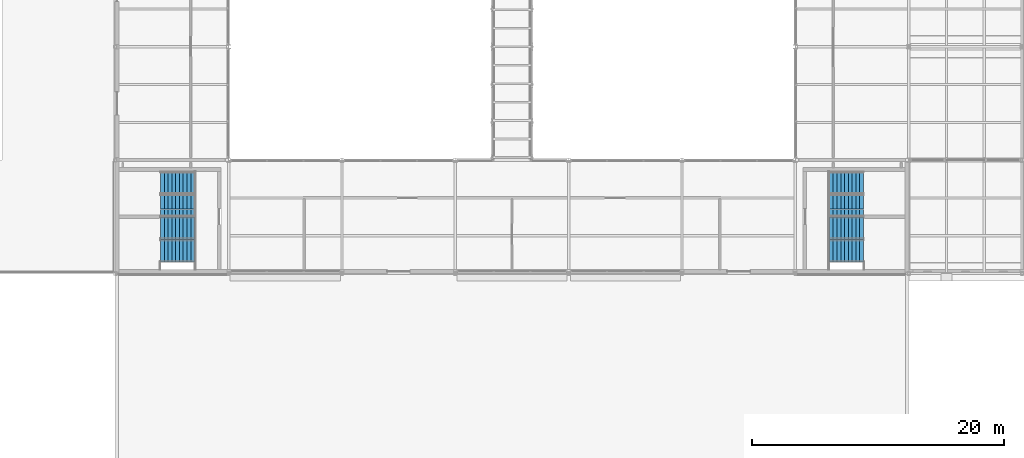
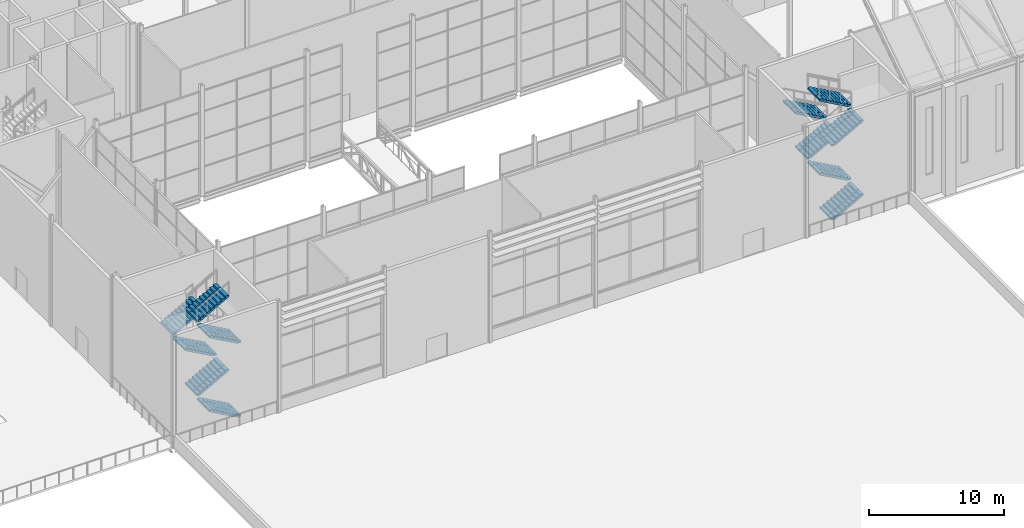
# One storey, part 97 of 111: 12 stair flights, 2 elements without a shape of their own.
"""IFC4 building model written with IfcOpenShell, lengths in metres."""

from ifc_helpers import new_model, si_unit, direction, frame, origin, place, context, subcontext, project, spatial, polyline, outline, extrude, material, type_object, element, aggregate, save


model = new_model("IFC4")

# Units and contexts
model_context = context("Model", 3, precision=1e-05, world=origin(), true_north=direction((0.0, 1.0)))
body_context = subcontext(model_context, "Body", "Model", "MODEL_VIEW")
ifc_project = project(units=[si_unit("LENGTHUNIT", "METRE"), si_unit("AREAUNIT", "SQUARE_METRE"), si_unit("VOLUMEUNIT", "CUBIC_METRE"), si_unit("PLANEANGLEUNIT", "RADIAN"), si_unit("MASSUNIT", "GRAM", prefix="KILO")], contexts=[model_context])

# Site, building, storey
site_placement = place(None, origin())
site = spatial("IfcSite", under=ifc_project, at=site_placement, CompositionType="ELEMENT")
building_placement = place(site_placement, origin())
building = spatial("IfcBuilding", under=site, at=building_placement, Name="Shorebreak Coast Museum", CompositionType="ELEMENT")
storey_placement = place(building_placement, frame((0.0, 0.0, 16.0)))
storey = spatial("IfcBuildingStorey", under=building, at=storey_placement, Name="L03", CompositionType="ELEMENT", Elevation=16.0)

# Stair, stair flights
ifc_material_1 = material(Name="Concrete N40 (40 MPa)", Category="concrete")
stair_type = type_object("IfcStairType", Name="Stair run 10 m", PredefinedType="DOUBLE_RETURN_STAIR", material=ifc_material_1)
stair_1_placement = place(storey_placement, origin())
stair_1 = element("IfcStair", 1, at=stair_1_placement, inside=storey, type_object=stair_type, Name="Exit stair ST01-L03", PredefinedType="DOUBLE_RETURN_STAIR")
ifc_material_2 = material(Name="Concrete N40 (40 MPa)", Category="concrete")
stair_flight_type = type_object("IfcStairFlightType", Name="Stair flight 10 risers 166.67", PredefinedType="STRAIGHT", material=ifc_material_2)
stair_flight_1_placement = place(storey_placement, frame((60.300048828125, 55.800048828125, 0.0), z_axis=(0.0, 0.0, 1.0), x_axis=(-1.0, 0.0, 0.0)))
stair_flight_1 = element("IfcStairFlight", 2, at=stair_flight_1_placement, type_object=stair_flight_type, Name="ST01-L03 flight 1", NumberOfRisers=10, NumberOfTreads=9, PredefinedType="STRAIGHT", RiserHeight=0.166666667, TreadLength=0.3, context=body_context, shape_type="SweptSolid", body=[
    extrude(outline(polyline([(0.0, 0.0), (0.0, 0.166748046875), (0.300048828125, 0.166748046875), (0.300048828125, 0.333251953125), (0.60009765625, 0.333251953125), (0.60009765625, 0.5), (0.89990234375, 0.5), (0.89990234375, 0.666748046875), (1.199951171875, 0.666748046875), (1.199951171875, 0.833251953125), (1.5, 0.833251953125), (1.5, 1.0), (1.800048828125, 1.0), (1.800048828125, 1.166748046875), (2.10009765625, 1.166748046875), (2.10009765625, 1.333251953125), (2.39990234375, 1.333251953125), (2.39990234375, 1.5), (2.699951171875, 1.5), (2.699951171875, 1.666748046875), (2.699951171875, 1.32861328125), (0.30859375, 0.0), (0.0, 0.0)])), frame((0.0, 0.89990234375, 0.0), z_axis=(0.0, -1.0, 0.0), x_axis=(1.0, 0.0, 0.0)), (0.0, 0.0, 1.0), 0.59326171875),
    extrude(outline(polyline([(0.0, 0.0), (0.0, 0.166748046875), (0.300048828125, 0.166748046875), (0.300048828125, 0.333251953125), (0.60009765625, 0.333251953125), (0.60009765625, 0.5), (0.89990234375, 0.5), (0.89990234375, 0.666748046875), (1.199951171875, 0.666748046875), (1.199951171875, 0.833251953125), (1.5, 0.833251953125), (1.5, 1.0), (1.800048828125, 1.0), (1.800048828125, 1.166748046875), (2.10009765625, 1.166748046875), (2.10009765625, 1.333251953125), (2.39990234375, 1.333251953125), (2.39990234375, 1.5), (2.699951171875, 1.5), (2.699951171875, 1.666748046875), (2.699951171875, 1.32861328125), (0.30859375, 0.0), (0.0, 0.0)])), frame((0.0, 0.296630859375, 0.0), z_axis=(0.0, -1.0, 0.0), x_axis=(1.0, 0.0, 0.0)), (0.0, 0.0, 1.0), 0.59326171875),
    extrude(outline(polyline([(0.0, 0.0), (0.0, 0.166748046875), (0.300048828125, 0.166748046875), (0.300048828125, 0.333251953125), (0.60009765625, 0.333251953125), (0.60009765625, 0.5), (0.89990234375, 0.5), (0.89990234375, 0.666748046875), (1.199951171875, 0.666748046875), (1.199951171875, 0.833251953125), (1.5, 0.833251953125), (1.5, 1.0), (1.800048828125, 1.0), (1.800048828125, 1.166748046875), (2.10009765625, 1.166748046875), (2.10009765625, 1.333251953125), (2.39990234375, 1.333251953125), (2.39990234375, 1.5), (2.699951171875, 1.5), (2.699951171875, 1.666748046875), (2.699951171875, 1.32861328125), (0.30859375, 0.0), (0.0, 0.0)])), frame((0.0, -0.306640625, 0.0), z_axis=(0.0, -1.0, 0.0), x_axis=(1.0, 0.0, 0.0)), (0.0, 0.0, 1.0), 0.59326171875),
])
stair_flight_2_placement = place(storey_placement, frame((57.60009765625, 57.60009765625, 1.666748046875), z_axis=(0.0, 0.0, 1.0), x_axis=(1.0, 0.0, 0.0)))
stair_flight_2 = element("IfcStairFlight", 3, at=stair_flight_2_placement, type_object=stair_flight_type, Name="ST01-L03 flight 2", NumberOfRisers=10, NumberOfTreads=9, PredefinedType="STRAIGHT", RiserHeight=0.166666667, TreadLength=0.3, context=body_context, shape_type="SweptSolid", body=[
    extrude(outline(polyline([(0.0, 0.0), (0.0, 0.166748046875), (0.300048828125, 0.166748046875), (0.300048828125, 0.333251953125), (0.60009765625, 0.333251953125), (0.60009765625, 0.5), (0.89990234375, 0.5), (0.89990234375, 0.666748046875), (1.199951171875, 0.666748046875), (1.199951171875, 0.833251953125), (1.5, 0.833251953125), (1.5, 1.0), (1.800048828125, 1.0), (1.800048828125, 1.166748046875), (2.10009765625, 1.166748046875), (2.10009765625, 1.333251953125), (2.39990234375, 1.333251953125), (2.39990234375, 1.5), (2.699951171875, 1.5), (2.699951171875, 1.666748046875), (2.699951171875, 1.32861328125), (0.30859375, 0.0), (0.0, 0.0)])), frame((0.0, 0.89990234375, 0.0), z_axis=(0.0, -1.0, 0.0), x_axis=(1.0, 0.0, 0.0)), (0.0, 0.0, 1.0), 0.59326171875),
    extrude(outline(polyline([(0.0, 0.0), (0.0, 0.166748046875), (0.300048828125, 0.166748046875), (0.300048828125, 0.333251953125), (0.60009765625, 0.333251953125), (0.60009765625, 0.5), (0.89990234375, 0.5), (0.89990234375, 0.666748046875), (1.199951171875, 0.666748046875), (1.199951171875, 0.833251953125), (1.5, 0.833251953125), (1.5, 1.0), (1.800048828125, 1.0), (1.800048828125, 1.166748046875), (2.10009765625, 1.166748046875), (2.10009765625, 1.333251953125), (2.39990234375, 1.333251953125), (2.39990234375, 1.5), (2.699951171875, 1.5), (2.699951171875, 1.666748046875), (2.699951171875, 1.32861328125), (0.30859375, 0.0), (0.0, 0.0)])), frame((0.0, 0.296630859375, 0.0), z_axis=(0.0, -1.0, 0.0), x_axis=(1.0, 0.0, 0.0)), (0.0, 0.0, 1.0), 0.59326171875),
    extrude(outline(polyline([(0.0, 0.0), (0.0, 0.166748046875), (0.300048828125, 0.166748046875), (0.300048828125, 0.333251953125), (0.60009765625, 0.333251953125), (0.60009765625, 0.5), (0.89990234375, 0.5), (0.89990234375, 0.666748046875), (1.199951171875, 0.666748046875), (1.199951171875, 0.833251953125), (1.5, 0.833251953125), (1.5, 1.0), (1.800048828125, 1.0), (1.800048828125, 1.166748046875), (2.10009765625, 1.166748046875), (2.10009765625, 1.333251953125), (2.39990234375, 1.333251953125), (2.39990234375, 1.5), (2.699951171875, 1.5), (2.699951171875, 1.666748046875), (2.699951171875, 1.32861328125), (0.30859375, 0.0), (0.0, 0.0)])), frame((0.0, -0.306640625, 0.0), z_axis=(0.0, -1.0, 0.0), x_axis=(1.0, 0.0, 0.0)), (0.0, 0.0, 1.0), 0.59326171875),
])
stair_flight_3_placement = place(storey_placement, frame((60.300048828125, 59.39990234375, 3.333251953125), z_axis=(0.0, 0.0, 1.0), x_axis=(-1.0, 0.0, 0.0)))
stair_flight_3 = element("IfcStairFlight", 4, at=stair_flight_3_placement, type_object=stair_flight_type, Name="ST01-L03 flight 3", NumberOfRisers=10, NumberOfTreads=9, PredefinedType="STRAIGHT", RiserHeight=0.166666667, TreadLength=0.3, context=body_context, shape_type="SweptSolid", body=[
    extrude(outline(polyline([(0.0, 0.0), (0.0, 0.166748046875), (0.300048828125, 0.166748046875), (0.300048828125, 0.333251953125), (0.60009765625, 0.333251953125), (0.60009765625, 0.5), (0.89990234375, 0.5), (0.89990234375, 0.666748046875), (1.199951171875, 0.666748046875), (1.199951171875, 0.833251953125), (1.5, 0.833251953125), (1.5, 1.0), (1.800048828125, 1.0), (1.800048828125, 1.166748046875), (2.10009765625, 1.166748046875), (2.10009765625, 1.333251953125), (2.39990234375, 1.333251953125), (2.39990234375, 1.5), (2.699951171875, 1.5), (2.699951171875, 1.666748046875), (2.699951171875, 1.32861328125), (0.30859375, 0.0), (0.0, 0.0)])), frame((0.0, 0.89990234375, 0.0), z_axis=(0.0, -1.0, 0.0), x_axis=(1.0, 0.0, 0.0)), (0.0, 0.0, 1.0), 0.59326171875),
    extrude(outline(polyline([(0.0, 0.0), (0.0, 0.166748046875), (0.300048828125, 0.166748046875), (0.300048828125, 0.333251953125), (0.60009765625, 0.333251953125), (0.60009765625, 0.5), (0.89990234375, 0.5), (0.89990234375, 0.666748046875), (1.199951171875, 0.666748046875), (1.199951171875, 0.833251953125), (1.5, 0.833251953125), (1.5, 1.0), (1.800048828125, 1.0), (1.800048828125, 1.166748046875), (2.10009765625, 1.166748046875), (2.10009765625, 1.333251953125), (2.39990234375, 1.333251953125), (2.39990234375, 1.5), (2.699951171875, 1.5), (2.699951171875, 1.666748046875), (2.699951171875, 1.32861328125), (0.30859375, 0.0), (0.0, 0.0)])), frame((0.0, 0.296630859375, 0.0), z_axis=(0.0, -1.0, 0.0), x_axis=(1.0, 0.0, 0.0)), (0.0, 0.0, 1.0), 0.59326171875),
    extrude(outline(polyline([(0.0, 0.0), (0.0, 0.166748046875), (0.300048828125, 0.166748046875), (0.300048828125, 0.333251953125), (0.60009765625, 0.333251953125), (0.60009765625, 0.5), (0.89990234375, 0.5), (0.89990234375, 0.666748046875), (1.199951171875, 0.666748046875), (1.199951171875, 0.833251953125), (1.5, 0.833251953125), (1.5, 1.0), (1.800048828125, 1.0), (1.800048828125, 1.166748046875), (2.10009765625, 1.166748046875), (2.10009765625, 1.333251953125), (2.39990234375, 1.333251953125), (2.39990234375, 1.5), (2.699951171875, 1.5), (2.699951171875, 1.666748046875), (2.699951171875, 1.32861328125), (0.30859375, 0.0), (0.0, 0.0)])), frame((0.0, -0.306640625, 0.0), z_axis=(0.0, -1.0, 0.0), x_axis=(1.0, 0.0, 0.0)), (0.0, 0.0, 1.0), 0.59326171875),
])
stair_flight_4_placement = place(storey_placement, frame((57.60009765625, 61.199951171875, 5.0), z_axis=(0.0, 0.0, 1.0), x_axis=(1.0, 0.0, 0.0)))
stair_flight_4 = element("IfcStairFlight", 5, at=stair_flight_4_placement, type_object=stair_flight_type, Name="ST01-L03 flight 4", NumberOfRisers=10, NumberOfTreads=9, PredefinedType="STRAIGHT", RiserHeight=0.166666667, TreadLength=0.3, context=body_context, shape_type="SweptSolid", body=[
    extrude(outline(polyline([(0.0, 0.0), (0.0, 0.166748046875), (0.300048828125, 0.166748046875), (0.300048828125, 0.333251953125), (0.60009765625, 0.333251953125), (0.60009765625, 0.5), (0.89990234375, 0.5), (0.89990234375, 0.666748046875), (1.199951171875, 0.666748046875), (1.199951171875, 0.833251953125), (1.5, 0.833251953125), (1.5, 1.0), (1.800048828125, 1.0), (1.800048828125, 1.166748046875), (2.10009765625, 1.166748046875), (2.10009765625, 1.333251953125), (2.39990234375, 1.333251953125), (2.39990234375, 1.5), (2.699951171875, 1.5), (2.699951171875, 1.666748046875), (2.699951171875, 1.32861328125), (0.30859375, 0.0), (0.0, 0.0)])), frame((0.0, 0.89990234375, 0.0), z_axis=(0.0, -1.0, 0.0), x_axis=(1.0, 0.0, 0.0)), (0.0, 0.0, 1.0), 0.59326171875),
    extrude(outline(polyline([(0.0, 0.0), (0.0, 0.166748046875), (0.300048828125, 0.166748046875), (0.300048828125, 0.333251953125), (0.60009765625, 0.333251953125), (0.60009765625, 0.5), (0.89990234375, 0.5), (0.89990234375, 0.666748046875), (1.199951171875, 0.666748046875), (1.199951171875, 0.833251953125), (1.5, 0.833251953125), (1.5, 1.0), (1.800048828125, 1.0), (1.800048828125, 1.166748046875), (2.10009765625, 1.166748046875), (2.10009765625, 1.333251953125), (2.39990234375, 1.333251953125), (2.39990234375, 1.5), (2.699951171875, 1.5), (2.699951171875, 1.666748046875), (2.699951171875, 1.32861328125), (0.30859375, 0.0), (0.0, 0.0)])), frame((0.0, 0.296630859375, 0.0), z_axis=(0.0, -1.0, 0.0), x_axis=(1.0, 0.0, 0.0)), (0.0, 0.0, 1.0), 0.59326171875),
    extrude(outline(polyline([(0.0, 0.0), (0.0, 0.166748046875), (0.300048828125, 0.166748046875), (0.300048828125, 0.333251953125), (0.60009765625, 0.333251953125), (0.60009765625, 0.5), (0.89990234375, 0.5), (0.89990234375, 0.666748046875), (1.199951171875, 0.666748046875), (1.199951171875, 0.833251953125), (1.5, 0.833251953125), (1.5, 1.0), (1.800048828125, 1.0), (1.800048828125, 1.166748046875), (2.10009765625, 1.166748046875), (2.10009765625, 1.333251953125), (2.39990234375, 1.333251953125), (2.39990234375, 1.5), (2.699951171875, 1.5), (2.699951171875, 1.666748046875), (2.699951171875, 1.32861328125), (0.30859375, 0.0), (0.0, 0.0)])), frame((0.0, -0.306640625, 0.0), z_axis=(0.0, -1.0, 0.0), x_axis=(1.0, 0.0, 0.0)), (0.0, 0.0, 1.0), 0.59326171875),
])
stair_flight_5_placement = place(storey_placement, frame((60.300048828125, 55.800048828125, 6.666748046875), z_axis=(0.0, 0.0, 1.0), x_axis=(-1.0, 0.0, 0.0)))
stair_flight_5 = element("IfcStairFlight", 6, at=stair_flight_5_placement, type_object=stair_flight_type, Name="ST01-L03 flight 5", NumberOfRisers=10, NumberOfTreads=9, PredefinedType="STRAIGHT", RiserHeight=0.166666667, TreadLength=0.3, context=body_context, shape_type="SweptSolid", body=[
    extrude(outline(polyline([(0.0, 0.0), (0.0, 0.166748046875), (0.300048828125, 0.166748046875), (0.300048828125, 0.333251953125), (0.60009765625, 0.333251953125), (0.60009765625, 0.5), (0.89990234375, 0.5), (0.89990234375, 0.666748046875), (1.199951171875, 0.666748046875), (1.199951171875, 0.833251953125), (1.5, 0.833251953125), (1.5, 1.0), (1.800048828125, 1.0), (1.800048828125, 1.166748046875), (2.10009765625, 1.166748046875), (2.10009765625, 1.333251953125), (2.39990234375, 1.333251953125), (2.39990234375, 1.5), (2.699951171875, 1.5), (2.699951171875, 1.666748046875), (2.699951171875, 1.32861328125), (0.30859375, 0.0), (0.0, 0.0)])), frame((0.0, 0.89990234375, 0.0), z_axis=(0.0, -1.0, 0.0), x_axis=(1.0, 0.0, 0.0)), (0.0, 0.0, 1.0), 0.59326171875),
    extrude(outline(polyline([(0.0, 0.0), (0.0, 0.166748046875), (0.300048828125, 0.166748046875), (0.300048828125, 0.333251953125), (0.60009765625, 0.333251953125), (0.60009765625, 0.5), (0.89990234375, 0.5), (0.89990234375, 0.666748046875), (1.199951171875, 0.666748046875), (1.199951171875, 0.833251953125), (1.5, 0.833251953125), (1.5, 1.0), (1.800048828125, 1.0), (1.800048828125, 1.166748046875), (2.10009765625, 1.166748046875), (2.10009765625, 1.333251953125), (2.39990234375, 1.333251953125), (2.39990234375, 1.5), (2.699951171875, 1.5), (2.699951171875, 1.666748046875), (2.699951171875, 1.32861328125), (0.30859375, 0.0), (0.0, 0.0)])), frame((0.0, 0.296630859375, 0.0), z_axis=(0.0, -1.0, 0.0), x_axis=(1.0, 0.0, 0.0)), (0.0, 0.0, 1.0), 0.59326171875),
    extrude(outline(polyline([(0.0, 0.0), (0.0, 0.166748046875), (0.300048828125, 0.166748046875), (0.300048828125, 0.333251953125), (0.60009765625, 0.333251953125), (0.60009765625, 0.5), (0.89990234375, 0.5), (0.89990234375, 0.666748046875), (1.199951171875, 0.666748046875), (1.199951171875, 0.833251953125), (1.5, 0.833251953125), (1.5, 1.0), (1.800048828125, 1.0), (1.800048828125, 1.166748046875), (2.10009765625, 1.166748046875), (2.10009765625, 1.333251953125), (2.39990234375, 1.333251953125), (2.39990234375, 1.5), (2.699951171875, 1.5), (2.699951171875, 1.666748046875), (2.699951171875, 1.32861328125), (0.30859375, 0.0), (0.0, 0.0)])), frame((0.0, -0.306640625, 0.0), z_axis=(0.0, -1.0, 0.0), x_axis=(1.0, 0.0, 0.0)), (0.0, 0.0, 1.0), 0.59326171875),
])
stair_flight_6_placement = place(storey_placement, frame((57.60009765625, 57.60009765625, 8.333251953125), z_axis=(0.0, 0.0, 1.0), x_axis=(1.0, 0.0, 0.0)))
stair_flight_6 = element("IfcStairFlight", 7, at=stair_flight_6_placement, type_object=stair_flight_type, Name="ST01-L03 flight 6", NumberOfRisers=10, NumberOfTreads=9, PredefinedType="STRAIGHT", RiserHeight=0.166666667, TreadLength=0.3, context=body_context, shape_type="SweptSolid", body=[
    extrude(outline(polyline([(0.0, 0.0), (0.0, 0.166748046875), (0.300048828125, 0.166748046875), (0.300048828125, 0.333251953125), (0.60009765625, 0.333251953125), (0.60009765625, 0.5), (0.89990234375, 0.5), (0.89990234375, 0.666748046875), (1.199951171875, 0.666748046875), (1.199951171875, 0.833251953125), (1.5, 0.833251953125), (1.5, 1.0), (1.800048828125, 1.0), (1.800048828125, 1.166748046875), (2.10009765625, 1.166748046875), (2.10009765625, 1.333251953125), (2.39990234375, 1.333251953125), (2.39990234375, 1.5), (2.699951171875, 1.5), (2.699951171875, 1.666748046875), (2.699951171875, 1.32861328125), (0.30859375, 0.0), (0.0, 0.0)])), frame((0.0, 0.89990234375, 0.0), z_axis=(0.0, -1.0, 0.0), x_axis=(1.0, 0.0, 0.0)), (0.0, 0.0, 1.0), 0.59326171875),
    extrude(outline(polyline([(0.0, 0.0), (0.0, 0.166748046875), (0.300048828125, 0.166748046875), (0.300048828125, 0.333251953125), (0.60009765625, 0.333251953125), (0.60009765625, 0.5), (0.89990234375, 0.5), (0.89990234375, 0.666748046875), (1.199951171875, 0.666748046875), (1.199951171875, 0.833251953125), (1.5, 0.833251953125), (1.5, 1.0), (1.800048828125, 1.0), (1.800048828125, 1.166748046875), (2.10009765625, 1.166748046875), (2.10009765625, 1.333251953125), (2.39990234375, 1.333251953125), (2.39990234375, 1.5), (2.699951171875, 1.5), (2.699951171875, 1.666748046875), (2.699951171875, 1.32861328125), (0.30859375, 0.0), (0.0, 0.0)])), frame((0.0, 0.296630859375, 0.0), z_axis=(0.0, -1.0, 0.0), x_axis=(1.0, 0.0, 0.0)), (0.0, 0.0, 1.0), 0.59326171875),
    extrude(outline(polyline([(0.0, 0.0), (0.0, 0.166748046875), (0.300048828125, 0.166748046875), (0.300048828125, 0.333251953125), (0.60009765625, 0.333251953125), (0.60009765625, 0.5), (0.89990234375, 0.5), (0.89990234375, 0.666748046875), (1.199951171875, 0.666748046875), (1.199951171875, 0.833251953125), (1.5, 0.833251953125), (1.5, 1.0), (1.800048828125, 1.0), (1.800048828125, 1.166748046875), (2.10009765625, 1.166748046875), (2.10009765625, 1.333251953125), (2.39990234375, 1.333251953125), (2.39990234375, 1.5), (2.699951171875, 1.5), (2.699951171875, 1.666748046875), (2.699951171875, 1.32861328125), (0.30859375, 0.0), (0.0, 0.0)])), frame((0.0, -0.306640625, 0.0), z_axis=(0.0, -1.0, 0.0), x_axis=(1.0, 0.0, 0.0)), (0.0, 0.0, 1.0), 0.59326171875),
])
aggregate(stair_1, [stair_flight_1, stair_flight_2, stair_flight_3, stair_flight_4, stair_flight_5, stair_flight_6])

stair_2_placement = place(storey_placement, origin())
stair_2 = element("IfcStair", 8, at=stair_2_placement, inside=storey, type_object=stair_type, Name="Exit stair ST02-L03", PredefinedType="DOUBLE_RETURN_STAIR")
stair_flight_7_placement = place(storey_placement, frame((110.699951171875, 55.800048828125, 0.0), z_axis=(0.0, 0.0, 1.0), x_axis=(1.0, 0.0, 0.0)))
stair_flight_7 = element("IfcStairFlight", 9, at=stair_flight_7_placement, type_object=stair_flight_type, Name="ST02-L03 flight 1", NumberOfRisers=10, NumberOfTreads=9, PredefinedType="STRAIGHT", RiserHeight=0.166666667, TreadLength=0.3, context=body_context, shape_type="SweptSolid", body=[
    extrude(outline(polyline([(0.0, 0.0), (0.0, 0.166748046875), (0.300048828125, 0.166748046875), (0.300048828125, 0.333251953125), (0.60009765625, 0.333251953125), (0.60009765625, 0.5), (0.89990234375, 0.5), (0.89990234375, 0.666748046875), (1.199951171875, 0.666748046875), (1.199951171875, 0.833251953125), (1.5, 0.833251953125), (1.5, 1.0), (1.800048828125, 1.0), (1.800048828125, 1.166748046875), (2.10009765625, 1.166748046875), (2.10009765625, 1.333251953125), (2.39990234375, 1.333251953125), (2.39990234375, 1.5), (2.699951171875, 1.5), (2.699951171875, 1.666748046875), (2.699951171875, 1.32861328125), (0.30859375, 0.0), (0.0, 0.0)])), frame((0.0, 0.89990234375, 0.0), z_axis=(0.0, -1.0, 0.0), x_axis=(1.0, 0.0, 0.0)), (0.0, 0.0, 1.0), 0.59326171875),
    extrude(outline(polyline([(0.0, 0.0), (0.0, 0.166748046875), (0.300048828125, 0.166748046875), (0.300048828125, 0.333251953125), (0.60009765625, 0.333251953125), (0.60009765625, 0.5), (0.89990234375, 0.5), (0.89990234375, 0.666748046875), (1.199951171875, 0.666748046875), (1.199951171875, 0.833251953125), (1.5, 0.833251953125), (1.5, 1.0), (1.800048828125, 1.0), (1.800048828125, 1.166748046875), (2.10009765625, 1.166748046875), (2.10009765625, 1.333251953125), (2.39990234375, 1.333251953125), (2.39990234375, 1.5), (2.699951171875, 1.5), (2.699951171875, 1.666748046875), (2.699951171875, 1.32861328125), (0.30859375, 0.0), (0.0, 0.0)])), frame((0.0, 0.296630859375, 0.0), z_axis=(0.0, -1.0, 0.0), x_axis=(1.0, 0.0, 0.0)), (0.0, 0.0, 1.0), 0.59326171875),
    extrude(outline(polyline([(0.0, 0.0), (0.0, 0.166748046875), (0.300048828125, 0.166748046875), (0.300048828125, 0.333251953125), (0.60009765625, 0.333251953125), (0.60009765625, 0.5), (0.89990234375, 0.5), (0.89990234375, 0.666748046875), (1.199951171875, 0.666748046875), (1.199951171875, 0.833251953125), (1.5, 0.833251953125), (1.5, 1.0), (1.800048828125, 1.0), (1.800048828125, 1.166748046875), (2.10009765625, 1.166748046875), (2.10009765625, 1.333251953125), (2.39990234375, 1.333251953125), (2.39990234375, 1.5), (2.699951171875, 1.5), (2.699951171875, 1.666748046875), (2.699951171875, 1.32861328125), (0.30859375, 0.0), (0.0, 0.0)])), frame((0.0, -0.306640625, 0.0), z_axis=(0.0, -1.0, 0.0), x_axis=(1.0, 0.0, 0.0)), (0.0, 0.0, 1.0), 0.59326171875),
])
stair_flight_8_placement = place(storey_placement, frame((113.39990234375, 57.60009765625, 1.666748046875), z_axis=(0.0, 0.0, 1.0), x_axis=(-1.0, 0.0, 0.0)))
stair_flight_8 = element("IfcStairFlight", 10, at=stair_flight_8_placement, type_object=stair_flight_type, Name="ST02-L03 flight 2", NumberOfRisers=10, NumberOfTreads=9, PredefinedType="STRAIGHT", RiserHeight=0.166666667, TreadLength=0.3, context=body_context, shape_type="SweptSolid", body=[
    extrude(outline(polyline([(0.0, 0.0), (0.0, 0.166748046875), (0.300048828125, 0.166748046875), (0.300048828125, 0.333251953125), (0.60009765625, 0.333251953125), (0.60009765625, 0.5), (0.89990234375, 0.5), (0.89990234375, 0.666748046875), (1.199951171875, 0.666748046875), (1.199951171875, 0.833251953125), (1.5, 0.833251953125), (1.5, 1.0), (1.800048828125, 1.0), (1.800048828125, 1.166748046875), (2.10009765625, 1.166748046875), (2.10009765625, 1.333251953125), (2.39990234375, 1.333251953125), (2.39990234375, 1.5), (2.699951171875, 1.5), (2.699951171875, 1.666748046875), (2.699951171875, 1.32861328125), (0.30859375, 0.0), (0.0, 0.0)])), frame((0.0, 0.89990234375, 0.0), z_axis=(0.0, -1.0, 0.0), x_axis=(1.0, 0.0, 0.0)), (0.0, 0.0, 1.0), 0.59326171875),
    extrude(outline(polyline([(0.0, 0.0), (0.0, 0.166748046875), (0.300048828125, 0.166748046875), (0.300048828125, 0.333251953125), (0.60009765625, 0.333251953125), (0.60009765625, 0.5), (0.89990234375, 0.5), (0.89990234375, 0.666748046875), (1.199951171875, 0.666748046875), (1.199951171875, 0.833251953125), (1.5, 0.833251953125), (1.5, 1.0), (1.800048828125, 1.0), (1.800048828125, 1.166748046875), (2.10009765625, 1.166748046875), (2.10009765625, 1.333251953125), (2.39990234375, 1.333251953125), (2.39990234375, 1.5), (2.699951171875, 1.5), (2.699951171875, 1.666748046875), (2.699951171875, 1.32861328125), (0.30859375, 0.0), (0.0, 0.0)])), frame((0.0, 0.296630859375, 0.0), z_axis=(0.0, -1.0, 0.0), x_axis=(1.0, 0.0, 0.0)), (0.0, 0.0, 1.0), 0.59326171875),
    extrude(outline(polyline([(0.0, 0.0), (0.0, 0.166748046875), (0.300048828125, 0.166748046875), (0.300048828125, 0.333251953125), (0.60009765625, 0.333251953125), (0.60009765625, 0.5), (0.89990234375, 0.5), (0.89990234375, 0.666748046875), (1.199951171875, 0.666748046875), (1.199951171875, 0.833251953125), (1.5, 0.833251953125), (1.5, 1.0), (1.800048828125, 1.0), (1.800048828125, 1.166748046875), (2.10009765625, 1.166748046875), (2.10009765625, 1.333251953125), (2.39990234375, 1.333251953125), (2.39990234375, 1.5), (2.699951171875, 1.5), (2.699951171875, 1.666748046875), (2.699951171875, 1.32861328125), (0.30859375, 0.0), (0.0, 0.0)])), frame((0.0, -0.306640625, 0.0), z_axis=(0.0, -1.0, 0.0), x_axis=(1.0, 0.0, 0.0)), (0.0, 0.0, 1.0), 0.59326171875),
])
stair_flight_9_placement = place(storey_placement, frame((110.699951171875, 59.39990234375, 3.333251953125), z_axis=(0.0, 0.0, 1.0), x_axis=(1.0, 0.0, 0.0)))
stair_flight_9 = element("IfcStairFlight", 11, at=stair_flight_9_placement, type_object=stair_flight_type, Name="ST02-L03 flight 3", NumberOfRisers=10, NumberOfTreads=9, PredefinedType="STRAIGHT", RiserHeight=0.166666667, TreadLength=0.3, context=body_context, shape_type="SweptSolid", body=[
    extrude(outline(polyline([(0.0, 0.0), (0.0, 0.166748046875), (0.300048828125, 0.166748046875), (0.300048828125, 0.333251953125), (0.60009765625, 0.333251953125), (0.60009765625, 0.5), (0.89990234375, 0.5), (0.89990234375, 0.666748046875), (1.199951171875, 0.666748046875), (1.199951171875, 0.833251953125), (1.5, 0.833251953125), (1.5, 1.0), (1.800048828125, 1.0), (1.800048828125, 1.166748046875), (2.10009765625, 1.166748046875), (2.10009765625, 1.333251953125), (2.39990234375, 1.333251953125), (2.39990234375, 1.5), (2.699951171875, 1.5), (2.699951171875, 1.666748046875), (2.699951171875, 1.32861328125), (0.30859375, 0.0), (0.0, 0.0)])), frame((0.0, 0.89990234375, 0.0), z_axis=(0.0, -1.0, 0.0), x_axis=(1.0, 0.0, 0.0)), (0.0, 0.0, 1.0), 0.59326171875),
    extrude(outline(polyline([(0.0, 0.0), (0.0, 0.166748046875), (0.300048828125, 0.166748046875), (0.300048828125, 0.333251953125), (0.60009765625, 0.333251953125), (0.60009765625, 0.5), (0.89990234375, 0.5), (0.89990234375, 0.666748046875), (1.199951171875, 0.666748046875), (1.199951171875, 0.833251953125), (1.5, 0.833251953125), (1.5, 1.0), (1.800048828125, 1.0), (1.800048828125, 1.166748046875), (2.10009765625, 1.166748046875), (2.10009765625, 1.333251953125), (2.39990234375, 1.333251953125), (2.39990234375, 1.5), (2.699951171875, 1.5), (2.699951171875, 1.666748046875), (2.699951171875, 1.32861328125), (0.30859375, 0.0), (0.0, 0.0)])), frame((0.0, 0.296630859375, 0.0), z_axis=(0.0, -1.0, 0.0), x_axis=(1.0, 0.0, 0.0)), (0.0, 0.0, 1.0), 0.59326171875),
    extrude(outline(polyline([(0.0, 0.0), (0.0, 0.166748046875), (0.300048828125, 0.166748046875), (0.300048828125, 0.333251953125), (0.60009765625, 0.333251953125), (0.60009765625, 0.5), (0.89990234375, 0.5), (0.89990234375, 0.666748046875), (1.199951171875, 0.666748046875), (1.199951171875, 0.833251953125), (1.5, 0.833251953125), (1.5, 1.0), (1.800048828125, 1.0), (1.800048828125, 1.166748046875), (2.10009765625, 1.166748046875), (2.10009765625, 1.333251953125), (2.39990234375, 1.333251953125), (2.39990234375, 1.5), (2.699951171875, 1.5), (2.699951171875, 1.666748046875), (2.699951171875, 1.32861328125), (0.30859375, 0.0), (0.0, 0.0)])), frame((0.0, -0.306640625, 0.0), z_axis=(0.0, -1.0, 0.0), x_axis=(1.0, 0.0, 0.0)), (0.0, 0.0, 1.0), 0.59326171875),
])
stair_flight_10_placement = place(storey_placement, frame((113.39990234375, 61.199951171875, 5.0), z_axis=(0.0, 0.0, 1.0), x_axis=(-1.0, 0.0, 0.0)))
stair_flight_10 = element("IfcStairFlight", 12, at=stair_flight_10_placement, type_object=stair_flight_type, Name="ST02-L03 flight 4", NumberOfRisers=10, NumberOfTreads=9, PredefinedType="STRAIGHT", RiserHeight=0.166666667, TreadLength=0.3, context=body_context, shape_type="SweptSolid", body=[
    extrude(outline(polyline([(0.0, 0.0), (0.0, 0.166748046875), (0.300048828125, 0.166748046875), (0.300048828125, 0.333251953125), (0.60009765625, 0.333251953125), (0.60009765625, 0.5), (0.89990234375, 0.5), (0.89990234375, 0.666748046875), (1.199951171875, 0.666748046875), (1.199951171875, 0.833251953125), (1.5, 0.833251953125), (1.5, 1.0), (1.800048828125, 1.0), (1.800048828125, 1.166748046875), (2.10009765625, 1.166748046875), (2.10009765625, 1.333251953125), (2.39990234375, 1.333251953125), (2.39990234375, 1.5), (2.699951171875, 1.5), (2.699951171875, 1.666748046875), (2.699951171875, 1.32861328125), (0.30859375, 0.0), (0.0, 0.0)])), frame((0.0, 0.89990234375, 0.0), z_axis=(0.0, -1.0, 0.0), x_axis=(1.0, 0.0, 0.0)), (0.0, 0.0, 1.0), 0.59326171875),
    extrude(outline(polyline([(0.0, 0.0), (0.0, 0.166748046875), (0.300048828125, 0.166748046875), (0.300048828125, 0.333251953125), (0.60009765625, 0.333251953125), (0.60009765625, 0.5), (0.89990234375, 0.5), (0.89990234375, 0.666748046875), (1.199951171875, 0.666748046875), (1.199951171875, 0.833251953125), (1.5, 0.833251953125), (1.5, 1.0), (1.800048828125, 1.0), (1.800048828125, 1.166748046875), (2.10009765625, 1.166748046875), (2.10009765625, 1.333251953125), (2.39990234375, 1.333251953125), (2.39990234375, 1.5), (2.699951171875, 1.5), (2.699951171875, 1.666748046875), (2.699951171875, 1.32861328125), (0.30859375, 0.0), (0.0, 0.0)])), frame((0.0, 0.296630859375, 0.0), z_axis=(0.0, -1.0, 0.0), x_axis=(1.0, 0.0, 0.0)), (0.0, 0.0, 1.0), 0.59326171875),
    extrude(outline(polyline([(0.0, 0.0), (0.0, 0.166748046875), (0.300048828125, 0.166748046875), (0.300048828125, 0.333251953125), (0.60009765625, 0.333251953125), (0.60009765625, 0.5), (0.89990234375, 0.5), (0.89990234375, 0.666748046875), (1.199951171875, 0.666748046875), (1.199951171875, 0.833251953125), (1.5, 0.833251953125), (1.5, 1.0), (1.800048828125, 1.0), (1.800048828125, 1.166748046875), (2.10009765625, 1.166748046875), (2.10009765625, 1.333251953125), (2.39990234375, 1.333251953125), (2.39990234375, 1.5), (2.699951171875, 1.5), (2.699951171875, 1.666748046875), (2.699951171875, 1.32861328125), (0.30859375, 0.0), (0.0, 0.0)])), frame((0.0, -0.306640625, 0.0), z_axis=(0.0, -1.0, 0.0), x_axis=(1.0, 0.0, 0.0)), (0.0, 0.0, 1.0), 0.59326171875),
])
stair_flight_11_placement = place(storey_placement, frame((110.699951171875, 55.800048828125, 6.666748046875), z_axis=(0.0, 0.0, 1.0), x_axis=(1.0, 0.0, 0.0)))
stair_flight_11 = element("IfcStairFlight", 13, at=stair_flight_11_placement, type_object=stair_flight_type, Name="ST02-L03 flight 5", NumberOfRisers=10, NumberOfTreads=9, PredefinedType="STRAIGHT", RiserHeight=0.166666667, TreadLength=0.3, context=body_context, shape_type="SweptSolid", body=[
    extrude(outline(polyline([(0.0, 0.0), (0.0, 0.166748046875), (0.300048828125, 0.166748046875), (0.300048828125, 0.333251953125), (0.60009765625, 0.333251953125), (0.60009765625, 0.5), (0.89990234375, 0.5), (0.89990234375, 0.666748046875), (1.199951171875, 0.666748046875), (1.199951171875, 0.833251953125), (1.5, 0.833251953125), (1.5, 1.0), (1.800048828125, 1.0), (1.800048828125, 1.166748046875), (2.10009765625, 1.166748046875), (2.10009765625, 1.333251953125), (2.39990234375, 1.333251953125), (2.39990234375, 1.5), (2.699951171875, 1.5), (2.699951171875, 1.666748046875), (2.699951171875, 1.32861328125), (0.30859375, 0.0), (0.0, 0.0)])), frame((0.0, 0.89990234375, 0.0), z_axis=(0.0, -1.0, 0.0), x_axis=(1.0, 0.0, 0.0)), (0.0, 0.0, 1.0), 0.59326171875),
    extrude(outline(polyline([(0.0, 0.0), (0.0, 0.166748046875), (0.300048828125, 0.166748046875), (0.300048828125, 0.333251953125), (0.60009765625, 0.333251953125), (0.60009765625, 0.5), (0.89990234375, 0.5), (0.89990234375, 0.666748046875), (1.199951171875, 0.666748046875), (1.199951171875, 0.833251953125), (1.5, 0.833251953125), (1.5, 1.0), (1.800048828125, 1.0), (1.800048828125, 1.166748046875), (2.10009765625, 1.166748046875), (2.10009765625, 1.333251953125), (2.39990234375, 1.333251953125), (2.39990234375, 1.5), (2.699951171875, 1.5), (2.699951171875, 1.666748046875), (2.699951171875, 1.32861328125), (0.30859375, 0.0), (0.0, 0.0)])), frame((0.0, 0.296630859375, 0.0), z_axis=(0.0, -1.0, 0.0), x_axis=(1.0, 0.0, 0.0)), (0.0, 0.0, 1.0), 0.59326171875),
    extrude(outline(polyline([(0.0, 0.0), (0.0, 0.166748046875), (0.300048828125, 0.166748046875), (0.300048828125, 0.333251953125), (0.60009765625, 0.333251953125), (0.60009765625, 0.5), (0.89990234375, 0.5), (0.89990234375, 0.666748046875), (1.199951171875, 0.666748046875), (1.199951171875, 0.833251953125), (1.5, 0.833251953125), (1.5, 1.0), (1.800048828125, 1.0), (1.800048828125, 1.166748046875), (2.10009765625, 1.166748046875), (2.10009765625, 1.333251953125), (2.39990234375, 1.333251953125), (2.39990234375, 1.5), (2.699951171875, 1.5), (2.699951171875, 1.666748046875), (2.699951171875, 1.32861328125), (0.30859375, 0.0), (0.0, 0.0)])), frame((0.0, -0.306640625, 0.0), z_axis=(0.0, -1.0, 0.0), x_axis=(1.0, 0.0, 0.0)), (0.0, 0.0, 1.0), 0.59326171875),
])
stair_flight_12_placement = place(storey_placement, frame((113.39990234375, 57.60009765625, 8.333251953125), z_axis=(0.0, 0.0, 1.0), x_axis=(-1.0, 0.0, 0.0)))
stair_flight_12 = element("IfcStairFlight", 14, at=stair_flight_12_placement, type_object=stair_flight_type, Name="ST02-L03 flight 6", NumberOfRisers=10, NumberOfTreads=9, PredefinedType="STRAIGHT", RiserHeight=0.166666667, TreadLength=0.3, context=body_context, shape_type="SweptSolid", body=[
    extrude(outline(polyline([(0.0, 0.0), (0.0, 0.166748046875), (0.300048828125, 0.166748046875), (0.300048828125, 0.333251953125), (0.60009765625, 0.333251953125), (0.60009765625, 0.5), (0.89990234375, 0.5), (0.89990234375, 0.666748046875), (1.199951171875, 0.666748046875), (1.199951171875, 0.833251953125), (1.5, 0.833251953125), (1.5, 1.0), (1.800048828125, 1.0), (1.800048828125, 1.166748046875), (2.10009765625, 1.166748046875), (2.10009765625, 1.333251953125), (2.39990234375, 1.333251953125), (2.39990234375, 1.5), (2.699951171875, 1.5), (2.699951171875, 1.666748046875), (2.699951171875, 1.32861328125), (0.30859375, 0.0), (0.0, 0.0)])), frame((0.0, 0.89990234375, 0.0), z_axis=(0.0, -1.0, 0.0), x_axis=(1.0, 0.0, 0.0)), (0.0, 0.0, 1.0), 0.59326171875),
    extrude(outline(polyline([(0.0, 0.0), (0.0, 0.166748046875), (0.300048828125, 0.166748046875), (0.300048828125, 0.333251953125), (0.60009765625, 0.333251953125), (0.60009765625, 0.5), (0.89990234375, 0.5), (0.89990234375, 0.666748046875), (1.199951171875, 0.666748046875), (1.199951171875, 0.833251953125), (1.5, 0.833251953125), (1.5, 1.0), (1.800048828125, 1.0), (1.800048828125, 1.166748046875), (2.10009765625, 1.166748046875), (2.10009765625, 1.333251953125), (2.39990234375, 1.333251953125), (2.39990234375, 1.5), (2.699951171875, 1.5), (2.699951171875, 1.666748046875), (2.699951171875, 1.32861328125), (0.30859375, 0.0), (0.0, 0.0)])), frame((0.0, 0.296630859375, 0.0), z_axis=(0.0, -1.0, 0.0), x_axis=(1.0, 0.0, 0.0)), (0.0, 0.0, 1.0), 0.59326171875),
    extrude(outline(polyline([(0.0, 0.0), (0.0, 0.166748046875), (0.300048828125, 0.166748046875), (0.300048828125, 0.333251953125), (0.60009765625, 0.333251953125), (0.60009765625, 0.5), (0.89990234375, 0.5), (0.89990234375, 0.666748046875), (1.199951171875, 0.666748046875), (1.199951171875, 0.833251953125), (1.5, 0.833251953125), (1.5, 1.0), (1.800048828125, 1.0), (1.800048828125, 1.166748046875), (2.10009765625, 1.166748046875), (2.10009765625, 1.333251953125), (2.39990234375, 1.333251953125), (2.39990234375, 1.5), (2.699951171875, 1.5), (2.699951171875, 1.666748046875), (2.699951171875, 1.32861328125), (0.30859375, 0.0), (0.0, 0.0)])), frame((0.0, -0.306640625, 0.0), z_axis=(0.0, -1.0, 0.0), x_axis=(1.0, 0.0, 0.0)), (0.0, 0.0, 1.0), 0.59326171875),
])
aggregate(stair_2, [stair_flight_7, stair_flight_8, stair_flight_9, stair_flight_10, stair_flight_11, stair_flight_12])

save(model, "model.ifc")
